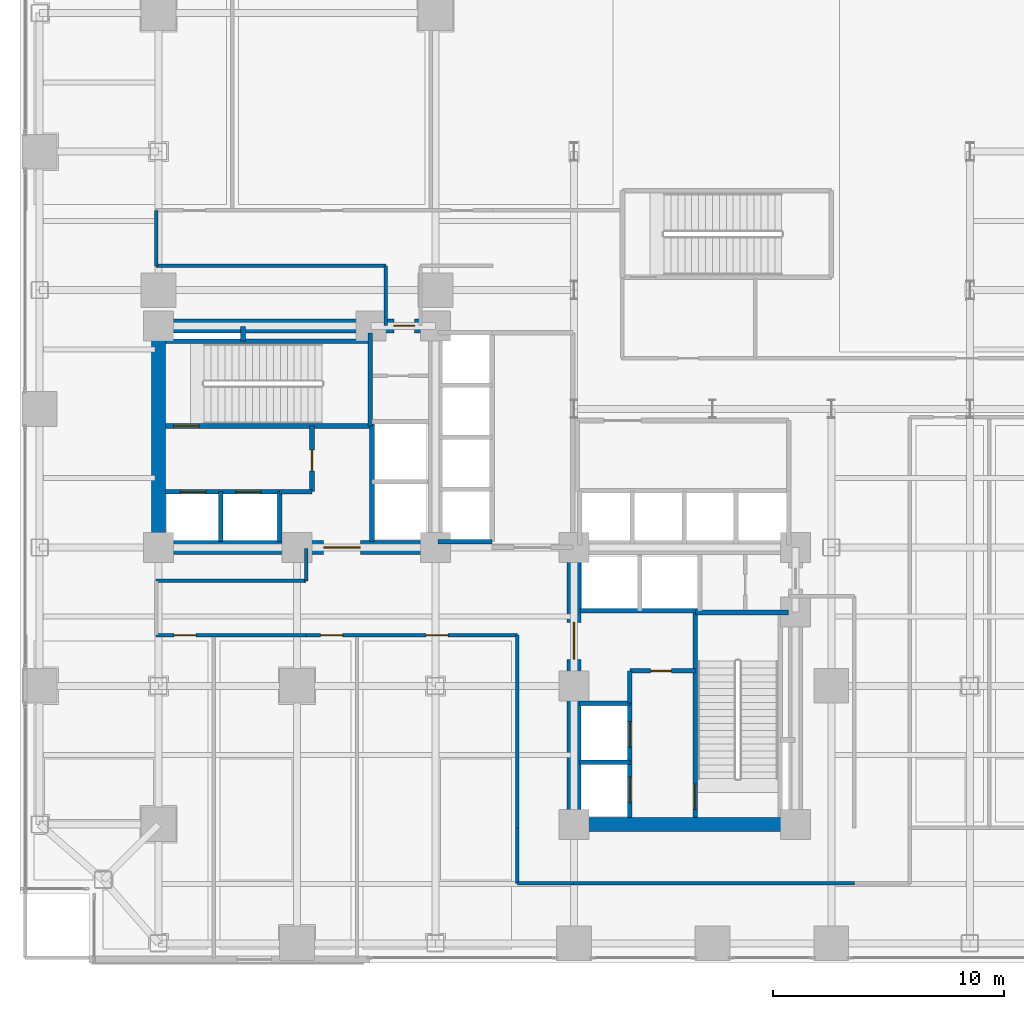
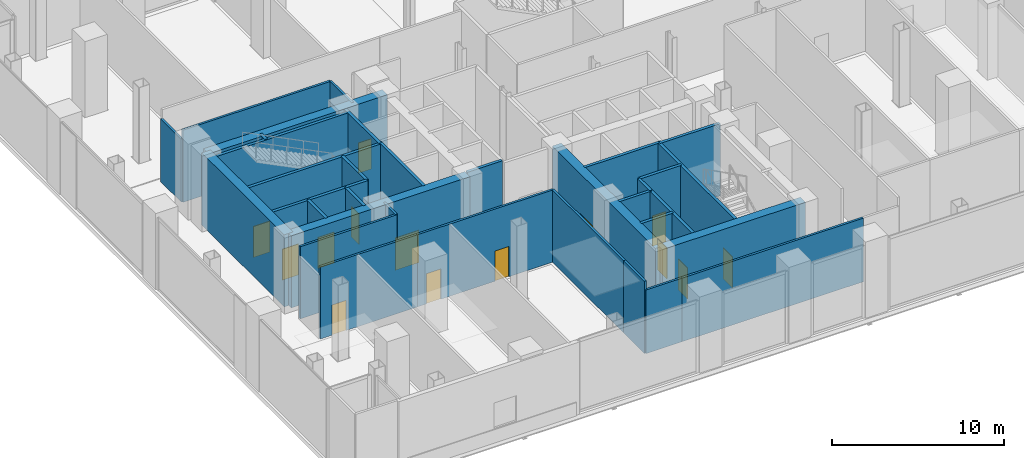
# One storey, part 21 of 27: 35 walls, 14 doors, 14 openings.
"""IFC4 building model written with IfcOpenShell, lengths in metres."""

from ifc_helpers import new_model, si_unit, direction, frame, frame_2d, origin, place, context, subcontext, project, spatial, rectangle, extrude, material, layer, layer_set, type_object, element, fill, save


model = new_model("IFC4")

# Units and contexts
model_context = context("Model", 3, precision=1e-05, world=origin(), true_north=direction((0.0, 1.0)))
body_context = subcontext(model_context, "Body", "Model", "MODEL_VIEW")
ifc_project = project(units=[si_unit("LENGTHUNIT", "METRE"), si_unit("AREAUNIT", "SQUARE_METRE"), si_unit("VOLUMEUNIT", "CUBIC_METRE"), si_unit("PLANEANGLEUNIT", "RADIAN"), si_unit("MASSUNIT", "GRAM", prefix="KILO"), si_unit("THERMODYNAMICTEMPERATUREUNIT", "KELVIN"), si_unit("POWERUNIT", "WATT")], contexts=[model_context])

# Site, building, storey
site_placement = place(None, origin())
site = spatial("IfcSite", under=ifc_project, at=site_placement, CompositionType="ELEMENT")
building_placement = place(site_placement, origin())
building = spatial("IfcBuilding", under=site, at=building_placement, Name="Svarakhadi Broadcast Tower", CompositionType="ELEMENT")
storey_placement = place(building_placement, frame((0.0, 0.0, 16.5)))
storey = spatial("IfcBuildingStorey", under=building, at=storey_placement, Name="L03", CompositionType="ELEMENT", Elevation=16.5)

# Walls
ifc_material_1 = material(Name="Concrete C40/50 (IS 456 M50)", Category="concrete")
ifc_layer_1 = layer(ifc_material_1, 0.199951171875)
ifc_layer_set_1 = layer_set([ifc_layer_1], Name="Concrete C40/50 (IS 456 M50)")
wall_type_1 = type_object("IfcWallType", Name="Wall_Fire_200", PredefinedType="SOLIDWALL", material=ifc_layer_set_1)
wall_1_placement = place(storey_placement, frame((9.659912109375, 26.93994140625, 0.0), z_axis=(0.0, 0.0, 1.0), x_axis=(0.0, 1.0, 0.0)))
element("IfcWall", 1, at=wall_1_placement, inside=storey, type_object=wall_type_1, Name="L03 Wet Riser Shaft East Wall", PredefinedType="SOLIDWALL", context=body_context, shape_type="SweptSolid", body=[
    extrude(rectangle(XDim=0.64013671875, YDim=0.199951171875, at=frame_2d((0.320068359375, 0.0))), origin(), (0.0, 0.0, 1.0), 5.125),
])
ifc_material_2 = material(Name="Autoclaved Aerated Concrete Blockwork 150 mm", Category="masonry")
ifc_layer_2 = layer(ifc_material_2, 0.14990234375)
ifc_layer_set_2 = layer_set([ifc_layer_2], Name="Autoclaved Aerated Concrete Blockwork 150 mm")
wall_type_2 = type_object("IfcWallType", Name="Wall_Part_150", PredefinedType="PARTITIONING", material=ifc_layer_set_2)
wall_2_placement = place(storey_placement, frame((21.550048828125, 5.85009765625, 0.0), z_axis=(0.0, 0.0, 1.0), x_axis=(0.0, 1.0, 0.0)))
element("IfcWall", 2, at=wall_2_placement, inside=storey, type_object=wall_type_2, Name="L03 Podium Gallery Wall", PredefinedType="PARTITIONING", context=body_context, shape_type="SweptSolid", body=[
    extrude(rectangle(XDim=8.349853515625, YDim=0.14990234375, at=frame_2d((4.1748046875, 0.0))), origin(), (0.0, 0.0, 1.0), 5.125),
])

# Wall, openings, doors
wall_3_placement = place(storey_placement, frame((21.550048828125, 14.199951171875, 0.0), z_axis=(0.0, 0.0, 1.0), x_axis=(-1.0, 0.0, 0.0)))
wall_3 = element("IfcWall", 3, at=wall_3_placement, inside=storey, type_object=wall_type_2, Name="L03 Podium Gallery Wall", PredefinedType="PARTITIONING", context=body_context, shape_type="SweptSolid", body=[
    extrude(rectangle(XDim=9.150146484375, YDim=0.14990234375, at=frame_2d((4.5751953125, 0.0))), origin(), (0.0, 0.0, 1.0), 5.125),
])
opening_1_placement = place(wall_3_placement, frame((7.574951171875, 0.0, 0.0)))
opening_1 = element("IfcOpeningElement", 4, at=opening_1_placement, cuts=wall_3, Name="Opening D-06", PredefinedType="OPENING", context=body_context, shape_type="SweptSolid", body=[
    extrude(rectangle(XDim=0.949951171875, YDim=2.14990234375, at=frame_2d((0.47509765625, 1.074951171875))), frame((0.0, 0.0849609375, 0.0), z_axis=(0.0, -1.0, 0.0), x_axis=(1.0, 0.0, 0.0)), (0.0, 0.0, 1.0), 0.169921875),
])
opening_2_placement = place(wall_3_placement, frame((3.0, 0.0, 0.0)))
opening_2 = element("IfcOpeningElement", 5, at=opening_2_placement, cuts=wall_3, Name="Opening D-07", PredefinedType="OPENING", context=body_context, shape_type="SweptSolid", body=[
    extrude(rectangle(XDim=0.949951171875, YDim=2.14990234375, at=frame_2d((0.47509765625, 1.074951171875))), frame((0.0, 0.0849609375, 0.0), z_axis=(0.0, -1.0, 0.0), x_axis=(1.0, 0.0, 0.0)), (0.0, 0.0, 1.0), 0.169921875),
])
ifc_material_3 = material(Name="Solid-Core Teak Veneer Acoustic Timber Leaf", Category="wood")
door_type_1 = type_object("IfcDoorType", Name="Door_Office_D06", OperationType="SINGLE_SWING_LEFT", PredefinedType="DOOR", material=ifc_material_3)
door_1_placement = place(opening_1_placement, origin())
door_1 = element("IfcDoor", 6, at=door_1_placement, inside=storey, type_object=door_type_1, Name="L03 L03 Audio Post-Production Mixing Room Door", OperationType="SINGLE_SWING_LEFT", OverallHeight=2.14990234375, OverallWidth=0.949951171875, PredefinedType="DOOR", context=body_context, shape_type="SweptSolid", body=[
    extrude(rectangle(XDim=0.949951171875, YDim=2.14990234375, at=frame_2d((0.47509765625, 1.074951171875))), frame((0.0, 0.02490234375, 0.0), z_axis=(0.0, -1.0, 0.0), x_axis=(1.0, 0.0, 0.0)), (0.0, 0.0, 1.0), 0.050048828125),
])
fill(opening_1, door_1)
door_type_2 = type_object("IfcDoorType", Name="Door_Office_D07", OperationType="SINGLE_SWING_RIGHT", PredefinedType="DOOR", material=ifc_material_3)
door_2_placement = place(opening_2_placement, origin())
door_2 = element("IfcDoor", 7, at=door_2_placement, inside=storey, type_object=door_type_2, Name="L03 L03 Crew Green Room and Pantry Door", OperationType="SINGLE_SWING_RIGHT", OverallHeight=2.14990234375, OverallWidth=0.949951171875, PredefinedType="DOOR", context=body_context, shape_type="SweptSolid", body=[
    extrude(rectangle(XDim=0.949951171875, YDim=2.14990234375, at=frame_2d((0.47509765625, 1.074951171875))), frame((0.0, 0.02490234375, 0.0), z_axis=(0.0, -1.0, 0.0), x_axis=(1.0, 0.0, 0.0)), (0.0, 0.0, 1.0), 0.050048828125),
])
fill(opening_2, door_2)

# Wall, opening, door
wall_4_placement = place(storey_placement, frame((12.39990234375, 14.199951171875, 0.0), z_axis=(0.0, 0.0, 1.0), x_axis=(-1.0, 0.0, 0.0)))
wall_4 = element("IfcWall", 8, at=wall_4_placement, inside=storey, type_object=wall_type_2, Name="L03 Podium Gallery Wall", PredefinedType="PARTITIONING", context=body_context, shape_type="SweptSolid", body=[
    extrude(rectangle(XDim=6.5, YDim=0.14990234375, at=frame_2d((3.25, 0.0))), origin(), (0.0, 0.0, 1.0), 5.125),
])
opening_3_placement = place(wall_4_placement, frame((4.77490234375, 0.0, 0.0)))
opening_3 = element("IfcOpeningElement", 9, at=opening_3_placement, cuts=wall_4, Name="Opening D-06", PredefinedType="OPENING", context=body_context, shape_type="SweptSolid", body=[
    extrude(rectangle(XDim=0.949951171875, YDim=2.14990234375, at=frame_2d((0.47509765625, 1.074951171875))), frame((0.0, 0.0849609375, 0.0), z_axis=(0.0, -1.0, 0.0), x_axis=(1.0, 0.0, 0.0)), (0.0, 0.0, 1.0), 0.169921875),
])
door_3_placement = place(opening_3_placement, origin())
door_3 = element("IfcDoor", 10, at=door_3_placement, inside=storey, type_object=door_type_1, Name="L03 L03 Master Control Broadcast Room Door", OperationType="SINGLE_SWING_LEFT", OverallHeight=2.14990234375, OverallWidth=0.949951171875, PredefinedType="DOOR", context=body_context, shape_type="SweptSolid", body=[
    extrude(rectangle(XDim=0.949951171875, YDim=2.14990234375, at=frame_2d((0.47509765625, 1.074951171875))), frame((0.0, 0.02490234375, 0.0), z_axis=(0.0, -1.0, 0.0), x_axis=(1.0, 0.0, 0.0)), (0.0, 0.0, 1.0), 0.050048828125),
])
fill(opening_3, door_3)

# Walls
wall_5_placement = place(storey_placement, frame((5.89990234375, 16.550048828125, 0.0), z_axis=(0.0, 0.0, 1.0), x_axis=(1.0, 0.0, 0.0)))
element("IfcWall", 11, at=wall_5_placement, inside=storey, type_object=wall_type_2, Name="L03 Podium Gallery Wall", PredefinedType="PARTITIONING", context=body_context, shape_type="SweptSolid", body=[
    extrude(rectangle(XDim=6.5, YDim=0.14990234375, at=frame_2d((3.25, 0.0))), origin(), (0.0, 0.0, 1.0), 5.125),
])
wall_6_placement = place(storey_placement, frame((12.39990234375, 16.550048828125, 0.0), z_axis=(0.0, 0.0, 1.0), x_axis=(0.0, 1.0, 0.0)))
element("IfcWall", 12, at=wall_6_placement, inside=storey, type_object=wall_type_2, Name="L03 Podium Gallery Wall", PredefinedType="PARTITIONING", context=body_context, shape_type="SweptSolid", body=[
    extrude(rectangle(XDim=1.409912109375, YDim=0.14990234375, at=frame_2d((0.705078125, 0.0))), origin(), (0.0, 0.0, 1.0), 5.125),
])
wall_7_placement = place(storey_placement, frame((15.85009765625, 27.6201171875, 0.0), z_axis=(0.0, 0.0, 1.0), x_axis=(0.0, 1.0, 0.0)))
element("IfcWall", 13, at=wall_7_placement, inside=storey, type_object=wall_type_2, Name="L03 Podium Gallery Wall", PredefinedType="PARTITIONING", context=body_context, shape_type="SweptSolid", body=[
    extrude(rectangle(XDim=2.579833984375, YDim=0.14990234375, at=frame_2d((1.2900390625, 0.0))), origin(), (0.0, 0.0, 1.0), 5.125),
])
wall_8_placement = place(storey_placement, frame((15.85009765625, 30.199951171875, 0.0), z_axis=(0.0, 0.0, 1.0), x_axis=(-1.0, 0.0, 0.0)))
element("IfcWall", 14, at=wall_8_placement, inside=storey, type_object=wall_type_2, Name="L03 Podium Gallery Wall", PredefinedType="PARTITIONING", context=body_context, shape_type="SweptSolid", body=[
    extrude(rectangle(XDim=9.9501953125, YDim=0.14990234375, at=frame_2d((4.97509765625, 0.0))), origin(), (0.0, 0.0, 1.0), 5.125),
])
wall_9_placement = place(storey_placement, frame((5.89990234375, 30.199951171875, 0.0), z_axis=(0.0, 0.0, 1.0), x_axis=(0.0, 1.0, 0.0)))
element("IfcWall", 15, at=wall_9_placement, inside=storey, type_object=wall_type_2, Name="L03 Podium Gallery Wall", PredefinedType="PARTITIONING", context=body_context, shape_type="SweptSolid", body=[
    extrude(rectangle(XDim=2.400146484375, YDim=0.14990234375, at=frame_2d((1.2001953125, 0.0))), origin(), (0.0, 0.0, 1.0), 4.467041015625),
])
wall_10_placement = place(storey_placement, frame((36.14990234375, 3.449951171875, 0.0), z_axis=(0.0, 0.0, 1.0), x_axis=(-1.0, 0.0, 0.0)))
element("IfcWall", 16, at=wall_10_placement, inside=storey, type_object=wall_type_2, Name="L03 Podium Gallery Wall", PredefinedType="PARTITIONING", context=body_context, shape_type="SweptSolid", body=[
    extrude(rectangle(XDim=12.169921875, YDim=0.14990234375, at=frame_2d((6.0849609375, 0.0))), origin(), (0.0, 0.0, 1.0), 4.51708984375),
])
wall_11_placement = place(storey_placement, frame((23.97998046875, 3.449951171875, 0.0), z_axis=(0.0, 0.0, 1.0), x_axis=(-1.0, 0.0, 0.0)))
element("IfcWall", 17, at=wall_11_placement, inside=storey, type_object=wall_type_2, Name="L03 Podium Gallery Wall", PredefinedType="PARTITIONING", context=body_context, shape_type="SweptSolid", body=[
    extrude(rectangle(XDim=2.429931640625, YDim=0.14990234375, at=frame_2d((1.21484375, 0.0))), origin(), (0.0, 0.0, 1.0), 4.51708984375),
])
wall_12_placement = place(storey_placement, frame((21.550048828125, 3.449951171875, 0.0), z_axis=(0.0, 0.0, 1.0), x_axis=(0.0, 1.0, 0.0)))
element("IfcWall", 18, at=wall_12_placement, inside=storey, type_object=wall_type_2, Name="L03 Podium Gallery Wall", PredefinedType="PARTITIONING", context=body_context, shape_type="SweptSolid", body=[
    extrude(rectangle(XDim=2.400146484375, YDim=0.14990234375, at=frame_2d((1.2001953125, 0.0))), origin(), (0.0, 0.0, 1.0), 5.125),
])

# Wall, opening, door
ifc_material_4 = material(Name="Concrete C50/60 (IS 456 M60)", Category="concrete")
ifc_layer_3 = layer(ifc_material_4, 0.199951171875)
ifc_layer_set_3 = layer_set([ifc_layer_3], Name="Concrete C50/60 (IS 456 M60)")
wall_type_3 = type_object("IfcWallType", Name="Wall_Shear_200", PredefinedType="SHEAR", material=ifc_layer_set_3)
wall_13_placement = place(storey_placement, frame((6.300048828125, 23.260009765625, 0.0), z_axis=(0.0, 0.0, 1.0), x_axis=(1.0, 0.0, 0.0)))
wall_13 = element("IfcWall", 19, at=wall_13_placement, inside=storey, type_object=wall_type_3, Name="L03 Stair ST-01 South RC Shaft Wall", PredefinedType="SHEAR", context=body_context, shape_type="SweptSolid", body=[
    extrude(rectangle(XDim=8.8798828125, YDim=0.199951171875, at=frame_2d((4.43994140625, 0.0))), origin(), (0.0, 0.0, 1.0), 5.125),
])
opening_4_placement = place(wall_13_placement, frame((0.35009765625, 0.0, 0.0)))
opening_4 = element("IfcOpeningElement", 20, at=opening_4_placement, cuts=wall_13, Name="Opening D-01", PredefinedType="OPENING", context=body_context, shape_type="SweptSolid", body=[
    extrude(rectangle(XDim=1.10009765625, YDim=2.199951171875, at=frame_2d((0.550048828125, 1.10009765625))), frame((0.0, 0.10986328125, 0.0), z_axis=(0.0, -1.0, 0.0), x_axis=(1.0, 0.0, 0.0)), (0.0, 0.0, 1.0), 0.219970703125),
])
ifc_material_5 = material(Name="Galvanised Powder-Coated Fire-Rated Steel Leaf", Category="steel")
door_type_3 = type_object("IfcDoorType", Name="Door_Stair_D01", OperationType="SINGLE_SWING_LEFT", PredefinedType="DOOR", material=ifc_material_5)
door_4_placement = place(opening_4_placement, origin())
door_4 = element("IfcDoor", 21, at=door_4_placement, inside=storey, type_object=door_type_3, Name="L03 Protected Exit Stair ST-01 Fire Door", OperationType="SINGLE_SWING_LEFT", OverallHeight=2.199951171875, OverallWidth=1.10009765625, PredefinedType="DOOR", context=body_context, shape_type="SweptSolid", body=[
    extrude(rectangle(XDim=1.10009765625, YDim=2.199951171875, at=frame_2d((0.550048828125, 1.10009765625))), frame((0.0, 0.02490234375, 0.0), z_axis=(0.0, -1.0, 0.0), x_axis=(1.0, 0.0, 0.0)), (0.0, 0.0, 1.0), 0.050048828125),
])
fill(opening_4, door_4)

# Walls
wall_14_placement = place(storey_placement, frame((6.300048828125, 26.93994140625, 0.0), z_axis=(0.0, 0.0, 1.0), x_axis=(1.0, 0.0, 0.0)))
element("IfcWall", 22, at=wall_14_placement, inside=storey, type_object=wall_type_3, Name="L03 Stair ST-01 North RC Shaft Wall", PredefinedType="SHEAR", context=body_context, shape_type="SweptSolid", body=[
    extrude(rectangle(XDim=8.8798828125, YDim=0.199951171875, at=frame_2d((4.43994140625, 0.0))), origin(), (0.0, 0.0, 1.0), 5.125),
])
wall_15_placement = place(storey_placement, frame((15.179931640625, 23.260009765625, 0.0), z_axis=(0.0, 0.0, 1.0), x_axis=(0.0, 1.0, 0.0)))
element("IfcWall", 23, at=wall_15_placement, inside=storey, type_object=wall_type_3, Name="L03 Stair ST-01 East RC Shaft Wall", PredefinedType="SHEAR", context=body_context, shape_type="SweptSolid", body=[
    extrude(rectangle(XDim=4.0400390625, YDim=0.199951171875, at=frame_2d((2.02001953125, 0.0))), origin(), (0.0, 0.0, 1.0), 5.125),
])

# Wall, opening, door
wall_16_placement = place(storey_placement, frame((29.260009765625, 6.300048828125, 0.0), z_axis=(0.0, 0.0, 1.0), x_axis=(0.0, 1.0, 0.0)))
wall_16 = element("IfcWall", 24, at=wall_16_placement, inside=storey, type_object=wall_type_3, Name="L03 Stair ST-02 West RC Shaft Wall", PredefinedType="SHEAR", context=body_context, shape_type="SweptSolid", body=[
    extrude(rectangle(XDim=8.8798828125, YDim=0.199951171875, at=frame_2d((4.43994140625, 0.0))), origin(), (0.0, 0.0, 1.0), 5.125),
])
opening_5_placement = place(wall_16_placement, frame((0.35009765625, 0.0, 0.0)))
opening_5 = element("IfcOpeningElement", 25, at=opening_5_placement, cuts=wall_16, Name="Opening D-02", PredefinedType="OPENING", context=body_context, shape_type="SweptSolid", body=[
    extrude(rectangle(XDim=1.10009765625, YDim=2.199951171875, at=frame_2d((0.550048828125, 1.10009765625))), frame((0.0, 0.10986328125, 0.0), z_axis=(0.0, -1.0, 0.0), x_axis=(1.0, 0.0, 0.0)), (0.0, 0.0, 1.0), 0.219970703125),
])
door_type_4 = type_object("IfcDoorType", Name="Door_Stair_D02", OperationType="SINGLE_SWING_RIGHT", PredefinedType="DOOR", material=ifc_material_5)
door_5_placement = place(opening_5_placement, origin())
door_5 = element("IfcDoor", 26, at=door_5_placement, inside=storey, type_object=door_type_4, Name="L03 Protected Exit Stair ST-02 Fire Door", OperationType="SINGLE_SWING_RIGHT", OverallHeight=2.199951171875, OverallWidth=1.10009765625, PredefinedType="DOOR", context=body_context, shape_type="SweptSolid", body=[
    extrude(rectangle(XDim=1.10009765625, YDim=2.199951171875, at=frame_2d((0.550048828125, 1.10009765625))), frame((0.0, 0.02490234375, 0.0), z_axis=(0.0, -1.0, 0.0), x_axis=(1.0, 0.0, 0.0)), (0.0, 0.0, 1.0), 0.050048828125),
])
fill(opening_5, door_5)

# Wall
wall_17_placement = place(storey_placement, frame((29.260009765625, 15.179931640625, 0.0), z_axis=(0.0, 0.0, 1.0), x_axis=(1.0, 0.0, 0.0)))
element("IfcWall", 27, at=wall_17_placement, inside=storey, type_object=wall_type_3, Name="L03 Stair ST-02 North RC Shaft Wall", PredefinedType="SHEAR", context=body_context, shape_type="SweptSolid", body=[
    extrude(rectangle(XDim=4.0400390625, YDim=0.199951171875, at=frame_2d((2.02001953125, 0.0))), origin(), (0.0, 0.0, 1.0), 5.125),
])

# Wall, openings, doors
wall_18_placement = place(storey_placement, frame((6.300048828125, 20.419921875, 0.0), z_axis=(0.0, 0.0, 1.0), x_axis=(1.0, 0.0, 0.0)))
wall_18 = element("IfcWall", 28, at=wall_18_placement, inside=storey, type_object=wall_type_3, Name="L03 Firefighting Lift LF-01/02 Shaft Wall", PredefinedType="SHEAR", context=body_context, shape_type="SweptSolid", body=[
    extrude(rectangle(XDim=4.949951171875, YDim=0.199951171875, at=frame_2d((2.47509765625, 0.0))), origin(), (0.0, 0.0, 1.0), 5.125),
])
opening_6_placement = place(wall_18_placement, frame((0.64990234375, 0.0, 0.0)))
opening_6 = element("IfcOpeningElement", 29, at=opening_6_placement, cuts=wall_18, Name="Opening LD-01", PredefinedType="OPENING", context=body_context, shape_type="SweptSolid", body=[
    extrude(rectangle(XDim=1.10009765625, YDim=2.199951171875, at=frame_2d((0.550048828125, 1.10009765625))), frame((0.0, 0.10986328125, 0.0), z_axis=(0.0, -1.0, 0.0), x_axis=(1.0, 0.0, 0.0)), (0.0, 0.0, 1.0), 0.219970703125),
])
opening_7_placement = place(wall_18_placement, frame((3.050048828125, 0.0, 0.0)))
opening_7 = element("IfcOpeningElement", 30, at=opening_7_placement, cuts=wall_18, Name="Opening LD-01", PredefinedType="OPENING", context=body_context, shape_type="SweptSolid", body=[
    extrude(rectangle(XDim=1.10009765625, YDim=2.199951171875, at=frame_2d((0.550048828125, 1.10009765625))), frame((0.0, 0.10986328125, 0.0), z_axis=(0.0, -1.0, 0.0), x_axis=(1.0, 0.0, 0.0)), (0.0, 0.0, 1.0), 0.219970703125),
])
door_type_5 = type_object("IfcDoorType", Name="Door_Lift_LD01", OperationType="SLIDING_TO_LEFT", PredefinedType="DOOR", material=ifc_material_5)
door_6_placement = place(opening_6_placement, origin())
door_6 = element("IfcDoor", 31, at=door_6_placement, inside=storey, type_object=door_type_5, Name="L03 Firefighting Lift LF-01 Landing Door", OperationType="SLIDING_TO_LEFT", OverallHeight=2.199951171875, OverallWidth=1.10009765625, PredefinedType="DOOR", context=body_context, shape_type="SweptSolid", body=[
    extrude(rectangle(XDim=1.10009765625, YDim=2.199951171875, at=frame_2d((0.550048828125, 1.10009765625))), frame((0.0, 0.02490234375, 0.0), z_axis=(0.0, -1.0, 0.0), x_axis=(1.0, 0.0, 0.0)), (0.0, 0.0, 1.0), 0.050048828125),
])
fill(opening_6, door_6)
door_7_placement = place(opening_7_placement, origin())
door_7 = element("IfcDoor", 32, at=door_7_placement, inside=storey, type_object=door_type_5, Name="L03 Firefighting Lift LF-02 Landing Door", OperationType="SLIDING_TO_LEFT", OverallHeight=2.199951171875, OverallWidth=1.10009765625, PredefinedType="DOOR", context=body_context, shape_type="SweptSolid", body=[
    extrude(rectangle(XDim=1.10009765625, YDim=2.199951171875, at=frame_2d((0.550048828125, 1.10009765625))), frame((0.0, 0.02490234375, 0.0), z_axis=(0.0, -1.0, 0.0), x_axis=(1.0, 0.0, 0.0)), (0.0, 0.0, 1.0), 0.050048828125),
])
fill(opening_7, door_7)

# Walls
for number, where, z_axis, x_axis, name in (
    (33, (8.699951171875, 18.25, 0.0), (0.0, 0.0, 1.0), (0.0, 1.0, 0.0), "L03 Firefighting Lift LF-01/02 Divider Wall"),
    (34, (11.25, 18.25, 0.0), (0.0, 0.0, 1.0), (0.0, 1.0, 0.0), "L03 Firefighting Lift LF-02 East Wall"),
):
    element("IfcWall", number, at=place(storey_placement, frame(where, z_axis=z_axis, x_axis=x_axis)), inside=storey, type_object=wall_type_3, Name=name, PredefinedType="SHEAR", context=body_context, shape_type="SweptSolid", body=[
        extrude(rectangle(XDim=2.169921875, YDim=0.199951171875, at=frame_2d((1.0849609375, 0.0))), origin(), (0.0, 0.0, 1.0), 5.125),
    ])
wall_19_placement = place(storey_placement, frame((11.25, 20.419921875, 0.0), z_axis=(0.0, 0.0, 1.0), x_axis=(1.0, 0.0, 0.0)))
element("IfcWall", 35, at=wall_19_placement, inside=storey, type_object=wall_type_3, Name="L03 West Firefighting Lobby South Wall", PredefinedType="SHEAR", context=body_context, shape_type="SweptSolid", body=[
    extrude(rectangle(XDim=1.39990234375, YDim=0.199951171875, at=frame_2d((0.699951171875, 0.0))), origin(), (0.0, 0.0, 1.0), 5.125),
])

# Wall, opening, door
wall_20_placement = place(storey_placement, frame((12.64990234375, 20.419921875, 0.0), z_axis=(0.0, 0.0, 1.0), x_axis=(0.0, 1.0, 0.0)))
wall_20 = element("IfcWall", 36, at=wall_20_placement, inside=storey, type_object=wall_type_3, Name="L03 West Firefighting Lobby East Wall", PredefinedType="SHEAR", context=body_context, shape_type="SweptSolid", body=[
    extrude(rectangle(XDim=2.840087890625, YDim=0.199951171875, at=frame_2d((1.419921875, 0.0))), origin(), (0.0, 0.0, 1.0), 5.125),
])
opening_8_placement = place(wall_20_placement, frame((0.89990234375, 0.0, 0.0)))
opening_8 = element("IfcOpeningElement", 37, at=opening_8_placement, cuts=wall_20, Name="Opening D-03", PredefinedType="OPENING", context=body_context, shape_type="SweptSolid", body=[
    extrude(rectangle(XDim=0.89990234375, YDim=2.14990234375, at=frame_2d((0.449951171875, 1.074951171875))), frame((0.0, 0.10986328125, 0.0), z_axis=(0.0, -1.0, 0.0), x_axis=(1.0, 0.0, 0.0)), (0.0, 0.0, 1.0), 0.219970703125),
])
door_type_6 = type_object("IfcDoorType", Name="Door_Fire_D03", OperationType="SINGLE_SWING_LEFT", PredefinedType="DOOR", material=ifc_material_5)
door_8_placement = place(opening_8_placement, origin())
door_8 = element("IfcDoor", 38, at=door_8_placement, inside=storey, type_object=door_type_6, Name="L03 West Firefighting Lobby Fire Door", OperationType="SINGLE_SWING_LEFT", OverallHeight=2.14990234375, OverallWidth=0.89990234375, PredefinedType="DOOR", context=body_context, shape_type="SweptSolid", body=[
    extrude(rectangle(XDim=0.89990234375, YDim=2.14990234375, at=frame_2d((0.449951171875, 1.074951171875))), frame((0.0, 0.02490234375, 0.0), z_axis=(0.0, -1.0, 0.0), x_axis=(1.0, 0.0, 0.0)), (0.0, 0.0, 1.0), 0.050048828125),
])
fill(opening_8, door_8)

# Wall, openings, doors
wall_21_placement = place(storey_placement, frame((26.419921875, 6.300048828125, 0.0), z_axis=(0.0, 0.0, 1.0), x_axis=(0.0, 1.0, 0.0)))
wall_21 = element("IfcWall", 39, at=wall_21_placement, inside=storey, type_object=wall_type_3, Name="L03 Firefighting Lift LF-03/04 Shaft Wall", PredefinedType="SHEAR", context=body_context, shape_type="SweptSolid", body=[
    extrude(rectangle(XDim=4.949951171875, YDim=0.199951171875, at=frame_2d((2.47509765625, 0.0))), origin(), (0.0, 0.0, 1.0), 5.125),
])
opening_9_placement = place(wall_21_placement, frame((0.64990234375, 0.0, 0.0)))
opening_9 = element("IfcOpeningElement", 40, at=opening_9_placement, cuts=wall_21, Name="Opening LD-01", PredefinedType="OPENING", context=body_context, shape_type="SweptSolid", body=[
    extrude(rectangle(XDim=1.10009765625, YDim=2.199951171875, at=frame_2d((0.550048828125, 1.10009765625))), frame((0.0, 0.10986328125, 0.0), z_axis=(0.0, -1.0, 0.0), x_axis=(1.0, 0.0, 0.0)), (0.0, 0.0, 1.0), 0.219970703125),
])
opening_10_placement = place(wall_21_placement, frame((3.050048828125, 0.0, 0.0)))
opening_10 = element("IfcOpeningElement", 41, at=opening_10_placement, cuts=wall_21, Name="Opening LD-01", PredefinedType="OPENING", context=body_context, shape_type="SweptSolid", body=[
    extrude(rectangle(XDim=1.10009765625, YDim=2.199951171875, at=frame_2d((0.550048828125, 1.10009765625))), frame((0.0, 0.10986328125, 0.0), z_axis=(0.0, -1.0, 0.0), x_axis=(1.0, 0.0, 0.0)), (0.0, 0.0, 1.0), 0.219970703125),
])
door_9_placement = place(opening_9_placement, origin())
door_9 = element("IfcDoor", 42, at=door_9_placement, inside=storey, type_object=door_type_5, Name="L03 Firefighting Lift LF-03 Landing Door", OperationType="SLIDING_TO_LEFT", OverallHeight=2.199951171875, OverallWidth=1.10009765625, PredefinedType="DOOR", context=body_context, shape_type="SweptSolid", body=[
    extrude(rectangle(XDim=1.10009765625, YDim=2.199951171875, at=frame_2d((0.550048828125, 1.10009765625))), frame((0.0, 0.02490234375, 0.0), z_axis=(0.0, -1.0, 0.0), x_axis=(1.0, 0.0, 0.0)), (0.0, 0.0, 1.0), 0.050048828125),
])
fill(opening_9, door_9)
door_10_placement = place(opening_10_placement, origin())
door_10 = element("IfcDoor", 43, at=door_10_placement, inside=storey, type_object=door_type_5, Name="L03 Firefighting Lift LF-04 Landing Door", OperationType="SLIDING_TO_LEFT", OverallHeight=2.199951171875, OverallWidth=1.10009765625, PredefinedType="DOOR", context=body_context, shape_type="SweptSolid", body=[
    extrude(rectangle(XDim=1.10009765625, YDim=2.199951171875, at=frame_2d((0.550048828125, 1.10009765625))), frame((0.0, 0.02490234375, 0.0), z_axis=(0.0, -1.0, 0.0), x_axis=(1.0, 0.0, 0.0)), (0.0, 0.0, 1.0), 0.050048828125),
])
fill(opening_10, door_10)

# Walls
for number, where, z_axis, x_axis, name in (
    (44, (24.25, 8.699951171875, 0.0), (0.0, 0.0, 1.0), (1.0, 0.0, 0.0), "L03 Firefighting Lift LF-03/04 Divider Wall"),
    (45, (24.25, 11.25, 0.0), (0.0, 0.0, 1.0), (1.0, 0.0, 0.0), "L03 Firefighting Lift LF-04 North Wall"),
):
    element("IfcWall", number, at=place(storey_placement, frame(where, z_axis=z_axis, x_axis=x_axis)), inside=storey, type_object=wall_type_3, Name=name, PredefinedType="SHEAR", context=body_context, shape_type="SweptSolid", body=[
        extrude(rectangle(XDim=2.169921875, YDim=0.199951171875, at=frame_2d((1.0849609375, 0.0))), origin(), (0.0, 0.0, 1.0), 5.125),
    ])
wall_22_placement = place(storey_placement, frame((26.419921875, 11.25, 0.0), z_axis=(0.0, 0.0, 1.0), x_axis=(0.0, 1.0, 0.0)))
element("IfcWall", 46, at=wall_22_placement, inside=storey, type_object=wall_type_3, Name="L03 East Firefighting Lobby West Wall", PredefinedType="SHEAR", context=body_context, shape_type="SweptSolid", body=[
    extrude(rectangle(XDim=1.39990234375, YDim=0.199951171875, at=frame_2d((0.699951171875, 0.0))), origin(), (0.0, 0.0, 1.0), 5.125),
])

# Wall, opening, door
wall_23_placement = place(storey_placement, frame((26.419921875, 12.64990234375, 0.0), z_axis=(0.0, 0.0, 1.0), x_axis=(1.0, 0.0, 0.0)))
wall_23 = element("IfcWall", 47, at=wall_23_placement, inside=storey, type_object=wall_type_3, Name="L03 East Firefighting Lobby North Wall", PredefinedType="SHEAR", context=body_context, shape_type="SweptSolid", body=[
    extrude(rectangle(XDim=2.840087890625, YDim=0.199951171875, at=frame_2d((1.419921875, 0.0))), origin(), (0.0, 0.0, 1.0), 5.125),
])
opening_11_placement = place(wall_23_placement, frame((0.89990234375, 0.0, 0.0)))
opening_11 = element("IfcOpeningElement", 48, at=opening_11_placement, cuts=wall_23, Name="Opening D-04", PredefinedType="OPENING", context=body_context, shape_type="SweptSolid", body=[
    extrude(rectangle(XDim=0.89990234375, YDim=2.14990234375, at=frame_2d((0.449951171875, 1.074951171875))), frame((0.0, 0.10986328125, 0.0), z_axis=(0.0, -1.0, 0.0), x_axis=(1.0, 0.0, 0.0)), (0.0, 0.0, 1.0), 0.219970703125),
])
door_type_7 = type_object("IfcDoorType", Name="Door_Fire_D04", OperationType="SINGLE_SWING_RIGHT", PredefinedType="DOOR", material=ifc_material_5)
door_11_placement = place(opening_11_placement, origin())
door_11 = element("IfcDoor", 49, at=door_11_placement, inside=storey, type_object=door_type_7, Name="L03 East Firefighting Lobby Fire Door", OperationType="SINGLE_SWING_RIGHT", OverallHeight=2.14990234375, OverallWidth=0.89990234375, PredefinedType="DOOR", context=body_context, shape_type="SweptSolid", body=[
    extrude(rectangle(XDim=0.89990234375, YDim=2.14990234375, at=frame_2d((0.449951171875, 1.074951171875))), frame((0.0, 0.02490234375, 0.0), z_axis=(0.0, -1.0, 0.0), x_axis=(1.0, 0.0, 0.0)), (0.0, 0.0, 1.0), 0.050048828125),
])
fill(opening_11, door_11)

# Walls
for number, where, z_axis, x_axis, name in (
    (50, (15.25, 18.25, 0.0), (0.0, 0.0, 1.0), (0.0, 1.0, 0.0), "L03 High-Rise Lift LF-13/14 West Shaft Wall"),
    (51, (24.25, 15.25, 0.0), (0.0, 0.0, 1.0), (1.0, 0.0, 0.0), "L03 High-Rise Lift LF-15/16 South Shaft Wall"),
):
    element("IfcWall", number, at=place(storey_placement, frame(where, z_axis=z_axis, x_axis=x_axis)), inside=storey, type_object=wall_type_3, Name=name, PredefinedType="SHEAR", context=body_context, shape_type="SweptSolid", body=[
        extrude(rectangle(XDim=5.199951171875, YDim=0.199951171875, at=frame_2d((2.60009765625, 0.0))), origin(), (0.0, 0.0, 1.0), 5.125),
    ])
wall_24_placement = place(storey_placement, frame((18.10009765625, 18.25, 0.0), z_axis=(0.0, 0.0, 1.0), x_axis=(1.0, 0.0, 0.0)))
element("IfcWall", 52, at=wall_24_placement, inside=storey, type_object=wall_type_3, Name="L03 Bank A South Shaft Wall", PredefinedType="SHEAR", context=body_context, shape_type="SweptSolid", body=[
    extrude(rectangle(XDim=2.349853515625, YDim=0.199951171875, at=frame_2d((1.1748046875, 0.0))), origin(), (0.0, 0.0, 1.0), 5.125),
])

# Wall, opening, door
ifc_material_6 = material(Name="Concrete C60/75 (IS 456 M70)", Category="concrete")
ifc_layer_4 = layer(ifc_material_6, 0.60009765625)
ifc_layer_set_4 = layer_set([ifc_layer_4], Name="Concrete C60/75 (IS 456 M70)")
wall_type_4 = type_object("IfcWallType", Name="Wall_Shear_600", PredefinedType="SHEAR", material=ifc_layer_set_4)
wall_25_placement = place(storey_placement, frame((6.0, 18.0, 0.0), z_axis=(0.0, 0.0, 1.0), x_axis=(1.0, 0.0, 0.0)))
wall_25 = element("IfcWall", 53, at=wall_25_placement, inside=storey, type_object=wall_type_4, Name="L03 West Core South Shear Wall", PredefinedType="SHEAR", context=body_context, shape_type="SweptSolid", body=[
    extrude(rectangle(XDim=12.0, YDim=0.60009765625, at=frame_2d((6.0, 0.0))), origin(), (0.0, 0.0, 1.0), 5.125),
])
opening_12_placement = place(wall_25_placement, frame((7.14990234375, 0.0, 0.0)))
opening_12 = element("IfcOpeningElement", 54, at=opening_12_placement, cuts=wall_25, Name="Opening D-05", PredefinedType="OPENING", context=body_context, shape_type="SweptSolid", body=[
    extrude(rectangle(XDim=1.60009765625, YDim=2.300048828125, at=frame_2d((0.800048828125, 1.14990234375))), frame((0.0, 0.31005859375, 0.0), z_axis=(0.0, -1.0, 0.0), x_axis=(1.0, 0.0, 0.0)), (0.0, 0.0, 1.0), 0.6201171875),
])
ifc_material_7 = material(Name="Anodised Bronze Aluminium AA 6063-T6", Category="aluminium")
door_type_8 = type_object("IfcDoorType", Name="Door_Lobby_D05", OperationType="DOUBLE_DOOR_SLIDING", PredefinedType="DOOR", material=ifc_material_7)
door_12_placement = place(opening_12_placement, origin())
door_12 = element("IfcDoor", 55, at=door_12_placement, inside=storey, type_object=door_type_8, Name="L03 West Core Passenger Lift Lobby Entrance Door", OperationType="DOUBLE_DOOR_SLIDING", OverallHeight=2.300048828125, OverallWidth=1.60009765625, PredefinedType="DOOR", context=body_context, shape_type="SweptSolid", body=[
    extrude(rectangle(XDim=1.60009765625, YDim=2.300048828125, at=frame_2d((0.800048828125, 1.14990234375))), frame((0.0, 0.02490234375, 0.0), z_axis=(0.0, -1.0, 0.0), x_axis=(1.0, 0.0, 0.0)), (0.0, 0.0, 1.0), 0.050048828125),
])
fill(opening_12, door_12)

wall_26_placement = place(storey_placement, frame((6.0, 27.60009765625, 0.0), z_axis=(0.0, 0.0, 1.0), x_axis=(1.0, 0.0, 0.0)))
wall_26 = element("IfcWall", 56, at=wall_26_placement, inside=storey, type_object=wall_type_4, Name="L03 West Core North Shear Wall", PredefinedType="SHEAR", context=body_context, shape_type="SweptSolid", body=[
    extrude(rectangle(XDim=12.0, YDim=0.60009765625, at=frame_2d((6.0, 0.0))), origin(), (0.0, 0.0, 1.0), 5.125),
])
opening_13_placement = place(wall_26_placement, frame((10.199951171875, 0.0, 0.0)))
opening_13 = element("IfcOpeningElement", 57, at=opening_13_placement, cuts=wall_26, Name="Opening D-04", PredefinedType="OPENING", context=body_context, shape_type="SweptSolid", body=[
    extrude(rectangle(XDim=0.89990234375, YDim=2.14990234375, at=frame_2d((0.449951171875, 1.074951171875))), frame((0.0, 0.31005859375, 0.0), z_axis=(0.0, -1.0, 0.0), x_axis=(1.0, 0.0, 0.0)), (0.0, 0.0, 1.0), 0.6201171875),
])
door_13_placement = place(opening_13_placement, origin())
door_13 = element("IfcDoor", 58, at=door_13_placement, inside=storey, type_object=door_type_7, Name="L03 West Core Store A Door", OperationType="SINGLE_SWING_RIGHT", OverallHeight=2.14990234375, OverallWidth=0.89990234375, PredefinedType="DOOR", context=body_context, shape_type="SweptSolid", body=[
    extrude(rectangle(XDim=0.89990234375, YDim=2.14990234375, at=frame_2d((0.449951171875, 1.074951171875))), frame((0.0, 0.02490234375, 0.0), z_axis=(0.0, -1.0, 0.0), x_axis=(1.0, 0.0, 0.0)), (0.0, 0.0, 1.0), 0.050048828125),
])
fill(opening_13, door_13)

# Walls
for number, where, z_axis, x_axis, name in (
    (59, (6.0, 18.0, 0.0), (0.0, 0.0, 1.0), (0.0, 1.0, 0.0), "L03 West Core West Shear Wall"),
    (60, (24.0, 6.0, 0.0), (0.0, 0.0, 1.0), (1.0, 0.0, 0.0), "L03 East Core South Shear Wall"),
):
    element("IfcWall", number, at=place(storey_placement, frame(where, z_axis=z_axis, x_axis=x_axis)), inside=storey, type_object=wall_type_4, Name=name, PredefinedType="SHEAR", context=body_context, shape_type="SweptSolid", body=[
        extrude(rectangle(XDim=9.60009765625, YDim=0.60009765625, at=frame_2d((4.800048828125, 0.0))), origin(), (0.0, 0.0, 1.0), 5.125),
    ])

# Wall, opening, door
wall_27_placement = place(storey_placement, frame((24.0, 6.0, 0.0), z_axis=(0.0, 0.0, 1.0), x_axis=(0.0, 1.0, 0.0)))
wall_27 = element("IfcWall", 61, at=wall_27_placement, inside=storey, type_object=wall_type_4, Name="L03 East Core West Shear Wall", PredefinedType="SHEAR", context=body_context, shape_type="SweptSolid", body=[
    extrude(rectangle(XDim=12.0, YDim=0.60009765625, at=frame_2d((6.0, 0.0))), origin(), (0.0, 0.0, 1.0), 5.125),
])
opening_14_placement = place(wall_27_placement, frame((7.14990234375, 0.0, 0.0)))
opening_14 = element("IfcOpeningElement", 62, at=opening_14_placement, cuts=wall_27, Name="Opening D-05", PredefinedType="OPENING", context=body_context, shape_type="SweptSolid", body=[
    extrude(rectangle(XDim=1.60009765625, YDim=2.300048828125, at=frame_2d((0.800048828125, 1.14990234375))), frame((0.0, 0.31005859375, 0.0), z_axis=(0.0, -1.0, 0.0), x_axis=(1.0, 0.0, 0.0)), (0.0, 0.0, 1.0), 0.6201171875),
])
door_14_placement = place(opening_14_placement, origin())
door_14 = element("IfcDoor", 63, at=door_14_placement, inside=storey, type_object=door_type_8, Name="L03 East Core Passenger Lift Lobby Entrance Door", OperationType="DOUBLE_DOOR_SLIDING", OverallHeight=2.300048828125, OverallWidth=1.60009765625, PredefinedType="DOOR", context=body_context, shape_type="SweptSolid", body=[
    extrude(rectangle(XDim=1.60009765625, YDim=2.300048828125, at=frame_2d((0.800048828125, 1.14990234375))), frame((0.0, 0.02490234375, 0.0), z_axis=(0.0, -1.0, 0.0), x_axis=(1.0, 0.0, 0.0)), (0.0, 0.0, 1.0), 0.050048828125),
])
fill(opening_14, door_14)

save(model, "model.ifc")
